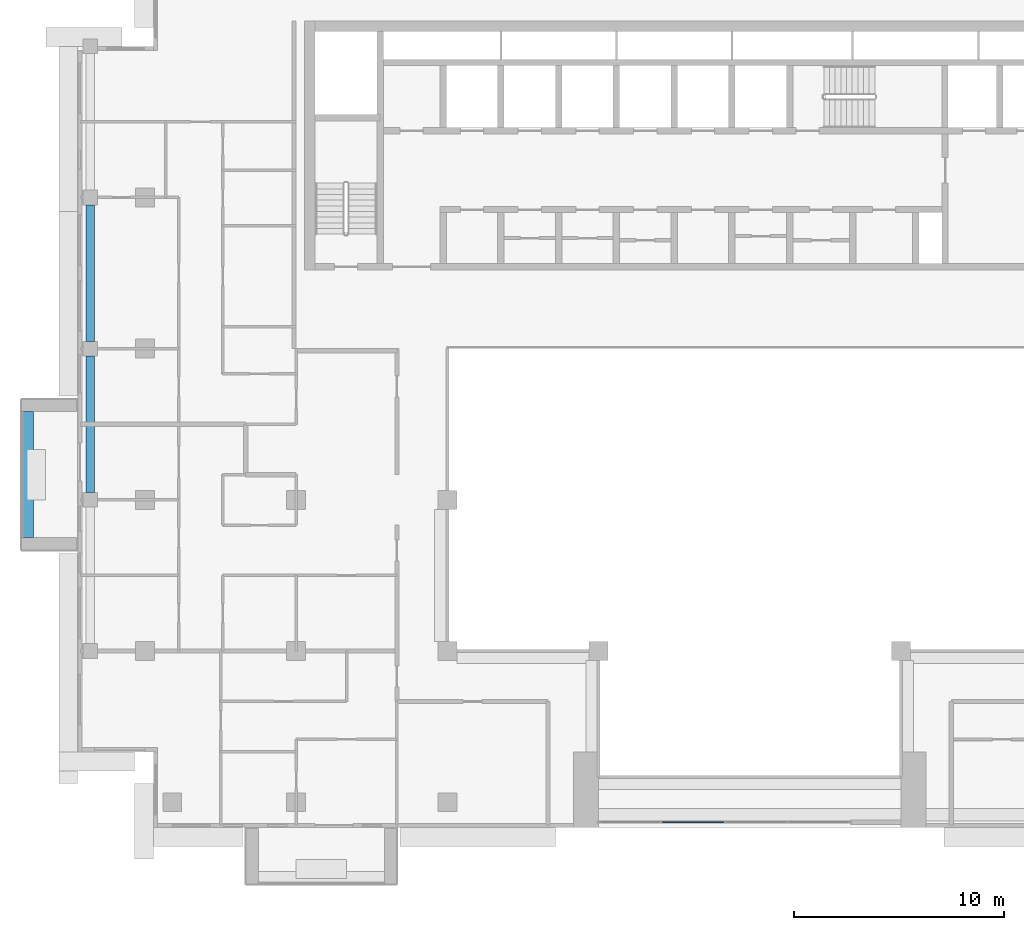
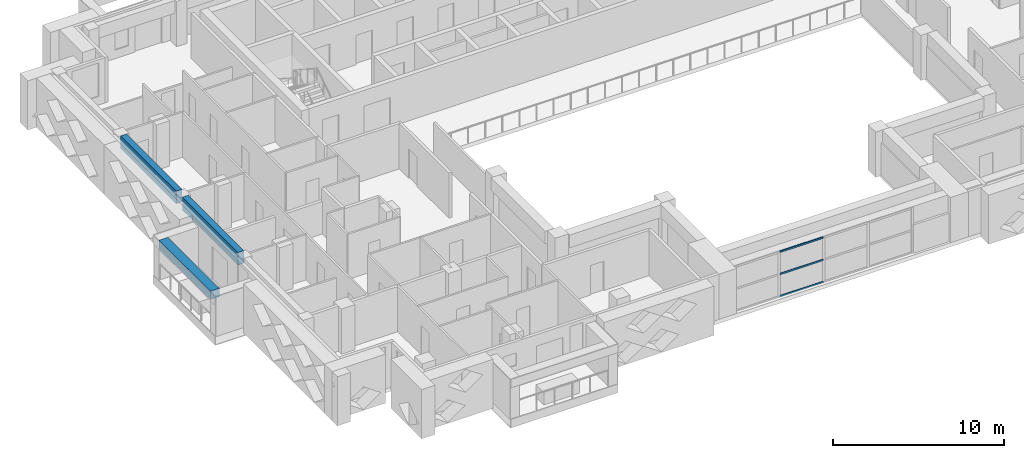
# One storey, part 3 of 19: 3 beams, 3 members, 1 element without a shape of its own.
"""IFC4 building model written with IfcOpenShell, lengths in metres."""

from ifc_helpers import new_model, si_unit, direction, frame, origin, origin_2d, place, context, subcontext, project, spatial, rectangle, extrude, source, transform, mapped, material, layer, layer_set, material_profile, profile_set, type_object, element, aggregate, save


model = new_model("IFC4")

# Units and contexts
model_context = context("Model", 3, precision=1e-05, world=origin(), true_north=direction((0.0, 1.0)))
body_context = subcontext(model_context, "Body", "Model", "MODEL_VIEW")
ifc_project = project(units=[si_unit("LENGTHUNIT", "METRE"), si_unit("AREAUNIT", "SQUARE_METRE"), si_unit("VOLUMEUNIT", "CUBIC_METRE"), si_unit("PLANEANGLEUNIT", "RADIAN"), si_unit("MASSUNIT", "GRAM", prefix="KILO")], contexts=[model_context])

# Site, building, storey
site_placement = place(None, origin())
site = spatial("IfcSite", under=ifc_project, at=site_placement, CompositionType="ELEMENT")
building_placement = place(site_placement, origin())
building = spatial("IfcBuilding", under=site, at=building_placement, Name="Saffron Iwan Residences", CompositionType="ELEMENT")
storey_placement = place(building_placement, frame((0.0, 0.0, 218.5)))
storey = spatial("IfcBuildingStorey", under=building, at=storey_placement, Name="L58", CompositionType="ELEMENT", Elevation=218.5)

# Beams
ifc_material_1 = material(Name="Concrete C40/50", Category="concrete")
ifc_material_profile_1 = material_profile(ifc_material_1, rectangle(XDim=0.39990234375, YDim=0.89990234375, at=origin_2d()), Name="RC 400x900")
ifc_profile_set_1 = profile_set([ifc_material_profile_1], Name="Concrete C40/50")
beam_type_1 = type_object("IfcBeamType", Name="SPANDREL BEAM RC 400x900 C40/50 TOP 3220", PredefinedType="SPANDREL", material=ifc_profile_set_1)
shared_shape_1 = source(origin(), body_context, "Body", "SweptSolid", [
    extrude(rectangle(XDim=0.39990234375, YDim=0.89990234375, at=origin_2d()), origin(), (0.0, 0.0, 1.0), 6.5),
])
for number, where, z_axis, x_axis, name in (
    (1, (19.0, 55.550048828125, 2.77001953125), (0.0, 1.0, 0.0), (-1.0, 0.0, 0.0), "Spandrel beam"),
    (2, (19.0, 62.75, 2.77001953125), (0.0, 1.0, 0.0), (-1.0, 0.0, 0.0), "Spandrel beam"),
):
    element("IfcBeam", number, at=place(storey_placement, frame(where, z_axis=z_axis, x_axis=x_axis)), inside=storey, type_object=beam_type_1, Name=name, PredefinedType="SPANDREL", context=body_context, shape_type="MappedRepresentation", body=[
        mapped(shared_shape_1, transform((0.0, 0.0, 0.0))),
    ])

# Curtain wall, members
ifc_material_2 = material(Name="Clear glass, laminated double glazed", Category="glass")
ifc_layer = layer(ifc_material_2, 0.199951171875)
ifc_layer_set = layer_set([ifc_layer], Name="Clear glass, laminated double glazed")
curtain_wall_type = type_object("IfcCurtainWallType", Name="CW-B IWAN PORTAL", PredefinedType="NOTDEFINED", material=ifc_layer_set)
curtain_wall_placement = place(storey_placement, origin())
curtain_wall = element("IfcCurtainWall", 3, at=curtain_wall_placement, inside=storey, type_object=curtain_wall_type, Name="Iwan portal glazing L58.1", PredefinedType="NOTDEFINED")
ifc_material_3 = material(Name="Aluminium 6063-T6", Category="aluminium")
ifc_material_profile_2 = material_profile(ifc_material_3, rectangle(XDim=0.06005859375, YDim=0.1201171875, at=origin_2d()), Name="CW-B TRANSOM 60 x 120")
ifc_profile_set_2 = profile_set([ifc_material_profile_2], Name="Aluminium 6063-T6")
member_type = type_object("IfcMemberType", Name="CW-B TRANSOM 60 x 120", PredefinedType="USERDEFINED", material=ifc_profile_set_2)
shared_shape_2 = source(origin(), body_context, "Body", "SweptSolid", [
    extrude(rectangle(XDim=0.06005859375, YDim=0.1201171875, at=origin_2d()), origin(), (0.0, 0.0, 1.0), 2.93994140625),
])
member_1_placement = place(storey_placement, frame((46.22998046875, 39.85009765625, 0.030029296875), z_axis=(1.0, 0.0, 0.0), x_axis=(0.0, 1.0, 0.0)))
member_1 = element("IfcMember", 4, at=member_1_placement, type_object=member_type, Name="CW-B transom 2.1", ObjectType="TRANSOM", PredefinedType="USERDEFINED", context=body_context, shape_type="MappedRepresentation", body=[
    mapped(shared_shape_2, transform((0.0, 0.0, 0.0))),
])
member_2_placement = place(storey_placement, frame((46.22998046875, 39.85009765625, 1.610107421875), z_axis=(1.0, 0.0, 0.0), x_axis=(0.0, 1.0, 0.0)))
member_2 = element("IfcMember", 5, at=member_2_placement, type_object=member_type, Name="CW-B transom 2.2", ObjectType="TRANSOM", PredefinedType="USERDEFINED", context=body_context, shape_type="MappedRepresentation", body=[
    mapped(shared_shape_2, transform((0.0, 0.0, 0.0))),
])
member_3_placement = place(storey_placement, frame((46.22998046875, 39.85009765625, 3.18994140625), z_axis=(1.0, 0.0, 0.0), x_axis=(0.0, 1.0, 0.0)))
member_3 = element("IfcMember", 6, at=member_3_placement, type_object=member_type, Name="CW-B transom 2.3", ObjectType="TRANSOM", PredefinedType="USERDEFINED", context=body_context, shape_type="MappedRepresentation", body=[
    mapped(shared_shape_2, transform((0.0, 0.0, 0.0))),
])
aggregate(curtain_wall, [member_1, member_2, member_3])

# Beam
ifc_material_4 = material(Name="Concrete C50/60 white painted", Category="concrete")
ifc_material_profile_3 = material_profile(ifc_material_4, rectangle(XDim=0.60009765625, YDim=0.60009765625, at=origin_2d()), Name="BALCONY FASCIA BEAM 600 x 600")
ifc_profile_set_3 = profile_set([ifc_material_profile_3], Name="Concrete C50/60 white painted")
beam_type_2 = type_object("IfcBeamType", Name="BALCONY FASCIA BEAM 600 x 600", PredefinedType="BEAM", material=ifc_profile_set_3)
shared_shape_3 = source(origin(), body_context, "Body", "SweptSolid", [
    extrude(rectangle(XDim=0.60009765625, YDim=0.60009765625, at=origin_2d()), origin(), (0.0, 0.0, 1.0), 6.0),
])
beam_placement = place(storey_placement, frame((16.0, 59.39990234375, 2.550048828125), z_axis=(0.0, -1.0, 0.0), x_axis=(1.0, 0.0, 0.0)))
element("IfcBeam", 7, at=beam_placement, inside=storey, type_object=beam_type_2, Name="Balcony fascia beam L58 F8-1", PredefinedType="BEAM", context=body_context, shape_type="MappedRepresentation", body=[
    mapped(shared_shape_3, transform((0.0, 0.0, 0.0))),
])

save(model, "model.ifc")
